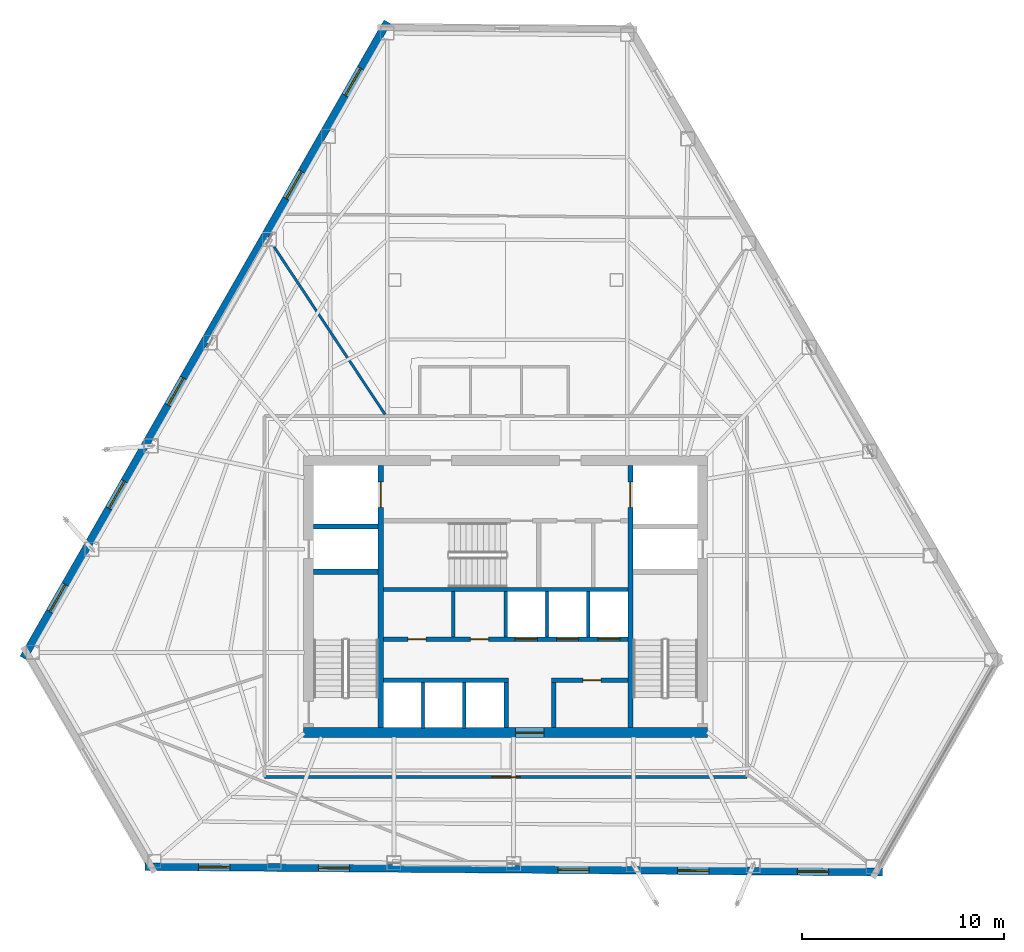
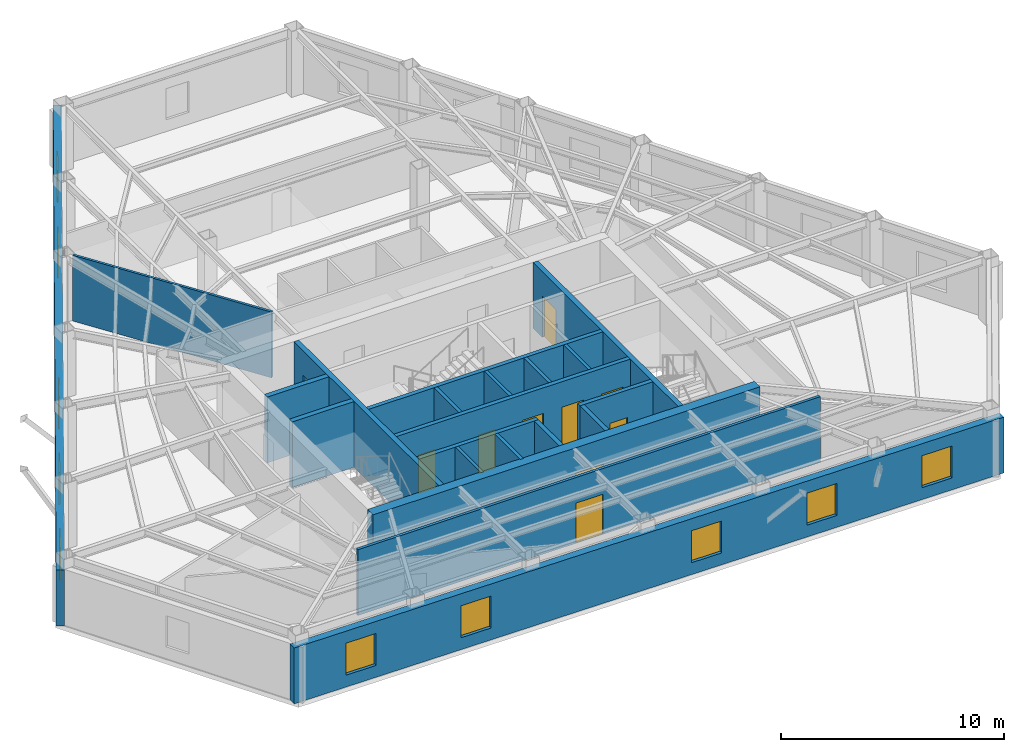
# One storey, part 9 of 13: 21 walls, 10 doors, 10 windows, 20 openings.
"""IFC4 building model written with IfcOpenShell, lengths in metres."""

from ifc_helpers import new_model, si_unit, direction, frame, frame_2d, origin, place, context, subcontext, project, spatial, rectangle, extrude, material, layer, layer_set, type_object, element, fill, save


model = new_model("IFC4")

# Units and contexts
model_context = context("Model", 3, precision=1e-05, world=origin(), true_north=direction((0.0, 1.0)))
body_context = subcontext(model_context, "Body", "Model", "MODEL_VIEW")
ifc_project = project(units=[si_unit("LENGTHUNIT", "METRE"), si_unit("AREAUNIT", "SQUARE_METRE"), si_unit("VOLUMEUNIT", "CUBIC_METRE"), si_unit("PLANEANGLEUNIT", "RADIAN"), si_unit("MASSUNIT", "GRAM", prefix="KILO")], contexts=[model_context])

# Site, building, storey
site_placement = place(None, origin())
site = spatial("IfcSite", under=ifc_project, at=site_placement, CompositionType="ELEMENT")
building_placement = place(site_placement, origin())
building = spatial("IfcBuilding", under=site, at=building_placement, Name="Kavelnor Concourse Tower", CompositionType="ELEMENT")
storey_placement = place(building_placement, frame((0.0, 0.0, 116.300048828125)))
storey = spatial("IfcBuildingStorey", under=building, at=storey_placement, Name="L29", CompositionType="ELEMENT", Elevation=116.300048828125)

# Wall, opening, door
ifc_material_1 = material(Name="Concrete C60/75", Category="concrete")
ifc_layer_1 = layer(ifc_material_1, 0.5, Name="Concrete C60/75")
ifc_layer_set_1 = layer_set([ifc_layer_1], Name="Concrete C60/75")
wall_type_1 = type_object("IfcWallType", Name="WL-CORE-Z2-500", PredefinedType="SOLIDWALL", material=ifc_layer_set_1)
wall_1_placement = place(storey_placement, frame((27.97998046875, 9.35009765625, 0.0), z_axis=(0.0, 0.0, 1.0), x_axis=(1.0, 0.0, 0.0)))
wall_1 = element("IfcWall", 1, at=wall_1_placement, inside=storey, type_object=wall_type_1, Name="L29 Central Core South Shear Wall", PredefinedType="SOLIDWALL", context=body_context, shape_type="SweptSolid", body=[
    extrude(rectangle(XDim=20.0400390625, YDim=0.5, at=frame_2d((10.02001953125, 0.0))), origin(), (0.0, 0.0, 1.0), 3.599853515625),
])
opening_1_placement = place(wall_1_placement, frame((10.52001953125, 0.0, 0.0)))
opening_1 = element("IfcOpeningElement", 2, at=opening_1_placement, cuts=wall_1, Name="Opening SD-140", PredefinedType="OPENING", context=body_context, shape_type="SweptSolid", body=[
    extrude(rectangle(XDim=1.39990234375, YDim=2.199951171875, at=frame_2d((0.699951171875, 1.10009765625))), frame((0.0, 0.260009765625, 0.0), z_axis=(0.0, -1.0, 0.0), x_axis=(1.0, 0.0, 0.0)), (0.0, 0.0, 1.0), 0.52001953125),
])
ifc_material_2 = material(Name="Solid-core hardwood timber", Category="wood")
door_type_1 = type_object("IfcDoorType", Name="DR-SUITE-ENTRY-1400", OperationType="NOTDEFINED", PredefinedType="DOOR", material=ifc_material_2)
door_1_placement = place(opening_1_placement, origin())
door_1 = element("IfcDoor", 3, at=door_1_placement, inside=storey, type_object=door_type_1, Name="L29 Passenger Lift Lobby Entry Door", OperationType="SINGLE_SWING_RIGHT", OverallHeight=2.199951171875, OverallWidth=1.39990234375, PredefinedType="DOOR", context=body_context, shape_type="SweptSolid", body=[
    extrude(rectangle(XDim=1.39990234375, YDim=2.199951171875, at=frame_2d((0.699951171875, 1.10009765625))), frame((0.0, 0.02490234375, 0.0), z_axis=(0.0, -1.0, 0.0), x_axis=(1.0, 0.0, 0.0)), (0.0, 0.0, 1.0), 0.050048828125),
])
fill(opening_1, door_1)

# Wall, openings, windows
ifc_material_3 = material(Name="Red-ochre clay face brick masonry", Category="masonry")
ifc_layer_2 = layer(ifc_material_3, 0.3798828125, Name="Red-ochre clay face brick masonry")
ifc_layer_set_2 = layer_set([ifc_layer_2], Name="Red-ochre clay face brick masonry")
wall_type_2 = type_object("IfcWallType", Name="WL-EXT-RED-BRICK-PIER-380", PredefinedType="STANDARD", material=ifc_layer_set_2)
wall_2_placement = place(storey_placement, frame((14.07958984375, 13.052001953125, 0.0), z_axis=(0.0, 0.0, 1.0), x_axis=(0.496744930326, 0.867896580357, 0.0)))
wall_2 = element("IfcWall", 4, at=wall_2_placement, inside=storey, type_object=wall_type_2, Name="L29 Exterior Brick Facade Wall E1", PredefinedType="STANDARD", context=body_context, shape_type="SweptSolid", body=[
    extrude(rectangle(XDim=36.350830078125, YDim=0.3798828125, at=frame_2d((18.17529296875, 0.0))), origin(), (0.0, 0.0, 1.0), 3.058837890625),
])
opening_2_placement = place(wall_2_placement, frame((32.1455078125, 0.0, 0.64990234375)))
opening_2 = element("IfcOpeningElement", 5, at=opening_2_placement, cuts=wall_2, Name="Opening W-02", PredefinedType="OPENING", context=body_context, shape_type="SweptSolid", body=[
    extrude(rectangle(XDim=1.550048828125, YDim=1.75, at=frame_2d((0.77490234375, 0.875))), frame((0.0, 0.199951171875, 0.0), z_axis=(0.0, -1.0, 0.0), x_axis=(1.0, 0.0, 0.0)), (0.0, 0.0, 1.0), 0.39990234375),
])
opening_3_placement = place(wall_2_placement, frame((26.246826171875, 0.0, 0.64990234375)))
opening_3 = element("IfcOpeningElement", 6, at=opening_3_placement, cuts=wall_2, Name="Opening W-02", PredefinedType="OPENING", context=body_context, shape_type="SweptSolid", body=[
    extrude(rectangle(XDim=1.550048828125, YDim=1.75, at=frame_2d((0.77490234375, 0.875))), frame((0.0, 0.199951171875, 0.0), z_axis=(0.0, -1.0, 0.0), x_axis=(1.0, 0.0, 0.0)), (0.0, 0.0, 1.0), 0.39990234375),
])
opening_4_placement = place(wall_2_placement, frame((14.44921875, 0.0, 0.64990234375)))
opening_4 = element("IfcOpeningElement", 7, at=opening_4_placement, cuts=wall_2, Name="Opening W-02", PredefinedType="OPENING", context=body_context, shape_type="SweptSolid", body=[
    extrude(rectangle(XDim=1.550048828125, YDim=1.75, at=frame_2d((0.77490234375, 0.875))), frame((0.0, 0.199951171875, 0.0), z_axis=(0.0, -1.0, 0.0), x_axis=(1.0, 0.0, 0.0)), (0.0, 0.0, 1.0), 0.39990234375),
])
opening_5_placement = place(wall_2_placement, frame((8.55029296875, 0.0, 0.64990234375)))
opening_5 = element("IfcOpeningElement", 8, at=opening_5_placement, cuts=wall_2, Name="Opening W-02", PredefinedType="OPENING", context=body_context, shape_type="SweptSolid", body=[
    extrude(rectangle(XDim=1.550048828125, YDim=1.75, at=frame_2d((0.77490234375, 0.875))), frame((0.0, 0.199951171875, 0.0), z_axis=(0.0, -1.0, 0.0), x_axis=(1.0, 0.0, 0.0)), (0.0, 0.0, 1.0), 0.39990234375),
])
opening_6_placement = place(wall_2_placement, frame((2.651611328125, 0.0, 0.64990234375)))
opening_6 = element("IfcOpeningElement", 9, at=opening_6_placement, cuts=wall_2, Name="Opening W-02", PredefinedType="OPENING", context=body_context, shape_type="SweptSolid", body=[
    extrude(rectangle(XDim=1.550048828125, YDim=1.75, at=frame_2d((0.77490234375, 0.875))), frame((0.0, 0.199951171875, 0.0), z_axis=(0.0, -1.0, 0.0), x_axis=(1.0, 0.0, 0.0)), (0.0, 0.0, 1.0), 0.39990234375),
])
ifc_material_4 = material(Name="Double low-E argon insulated glazing", Category="glass")
window_type = type_object("IfcWindowType", Name="WIN-PIER-Z2-1650", PartitioningType="SINGLE_PANEL", PredefinedType="WINDOW", material=ifc_material_4)
window_1_placement = place(opening_2_placement, origin())
window_1 = element("IfcWindow", 10, at=window_1_placement, inside=storey, type_object=window_type, Name="L29 Deep-Set Brick Pier Window F0-B0", OverallHeight=1.75, OverallWidth=1.550048828125, PartitioningType="SINGLE_PANEL", PredefinedType="WINDOW", context=body_context, shape_type="SweptSolid", body=[
    extrude(rectangle(XDim=1.550048828125, YDim=1.75, at=frame_2d((0.77490234375, 0.875))), frame((0.0, 0.030029296875, 0.0), z_axis=(0.0, -1.0, 0.0), x_axis=(1.0, 0.0, 0.0)), (0.0, 0.0, 1.0), 0.06005859375),
])
fill(opening_2, window_1)
window_2_placement = place(opening_3_placement, origin())
window_2 = element("IfcWindow", 11, at=window_2_placement, inside=storey, type_object=window_type, Name="L29 Deep-Set Brick Pier Window F0-B1", OverallHeight=1.75, OverallWidth=1.550048828125, PartitioningType="SINGLE_PANEL", PredefinedType="WINDOW", context=body_context, shape_type="SweptSolid", body=[
    extrude(rectangle(XDim=1.550048828125, YDim=1.75, at=frame_2d((0.77490234375, 0.875))), frame((0.0, 0.030029296875, 0.0), z_axis=(0.0, -1.0, 0.0), x_axis=(1.0, 0.0, 0.0)), (0.0, 0.0, 1.0), 0.06005859375),
])
fill(opening_3, window_2)
window_3_placement = place(opening_4_placement, origin())
window_3 = element("IfcWindow", 12, at=window_3_placement, inside=storey, type_object=window_type, Name="L29 Deep-Set Brick Pier Window F0-B3", OverallHeight=1.75, OverallWidth=1.550048828125, PartitioningType="SINGLE_PANEL", PredefinedType="WINDOW", context=body_context, shape_type="SweptSolid", body=[
    extrude(rectangle(XDim=1.550048828125, YDim=1.75, at=frame_2d((0.77490234375, 0.875))), frame((0.0, 0.030029296875, 0.0), z_axis=(0.0, -1.0, 0.0), x_axis=(1.0, 0.0, 0.0)), (0.0, 0.0, 1.0), 0.06005859375),
])
fill(opening_4, window_3)
window_4_placement = place(opening_5_placement, origin())
window_4 = element("IfcWindow", 13, at=window_4_placement, inside=storey, type_object=window_type, Name="L29 Deep-Set Brick Pier Window F0-B4", OverallHeight=1.75, OverallWidth=1.550048828125, PartitioningType="SINGLE_PANEL", PredefinedType="WINDOW", context=body_context, shape_type="SweptSolid", body=[
    extrude(rectangle(XDim=1.550048828125, YDim=1.75, at=frame_2d((0.77490234375, 0.875))), frame((0.0, 0.030029296875, 0.0), z_axis=(0.0, -1.0, 0.0), x_axis=(1.0, 0.0, 0.0)), (0.0, 0.0, 1.0), 0.06005859375),
])
fill(opening_5, window_4)
window_5_placement = place(opening_6_placement, origin())
window_5 = element("IfcWindow", 14, at=window_5_placement, inside=storey, type_object=window_type, Name="L29 Deep-Set Brick Pier Window F0-B5", OverallHeight=1.75, OverallWidth=1.550048828125, PartitioningType="SINGLE_PANEL", PredefinedType="WINDOW", context=body_context, shape_type="SweptSolid", body=[
    extrude(rectangle(XDim=1.550048828125, YDim=1.75, at=frame_2d((0.77490234375, 0.875))), frame((0.0, 0.030029296875, 0.0), z_axis=(0.0, -1.0, 0.0), x_axis=(1.0, 0.0, 0.0)), (0.0, 0.0, 1.0), 0.06005859375),
])
fill(opening_6, window_5)

wall_3_placement = place(storey_placement, frame((56.68798828125, 2.439697265625, 0.0), z_axis=(0.0, 0.0, 1.0), x_axis=(-0.999972168694, 0.007460686059, 0.0)))
wall_3 = element("IfcWall", 15, at=wall_3_placement, inside=storey, type_object=wall_type_2, Name="L29 Exterior Brick Facade Wall E3", PredefinedType="STANDARD", context=body_context, shape_type="SweptSolid", body=[
    extrude(rectangle(XDim=36.5849609375, YDim=0.3798828125, at=frame_2d((18.29248046875, 0.0))), origin(), (0.0, 0.0, 1.0), 3.058837890625),
])
opening_7_placement = place(wall_3_placement, frame((32.367431640625, 0.0, 0.64990234375)))
opening_7 = element("IfcOpeningElement", 16, at=opening_7_placement, cuts=wall_3, Name="Opening W-02", PredefinedType="OPENING", context=body_context, shape_type="SweptSolid", body=[
    extrude(rectangle(XDim=1.550048828125, YDim=1.75, at=frame_2d((0.77490234375, 0.875))), frame((0.0, 0.199951171875, 0.0), z_axis=(0.0, -1.0, 0.0), x_axis=(1.0, 0.0, 0.0)), (0.0, 0.0, 1.0), 0.39990234375),
])
opening_8_placement = place(wall_3_placement, frame((26.428955078125, 0.0, 0.64990234375)))
opening_8 = element("IfcOpeningElement", 17, at=opening_8_placement, cuts=wall_3, Name="Opening W-02", PredefinedType="OPENING", context=body_context, shape_type="SweptSolid", body=[
    extrude(rectangle(XDim=1.550048828125, YDim=1.75, at=frame_2d((0.77490234375, 0.875))), frame((0.0, 0.199951171875, 0.0), z_axis=(0.0, -1.0, 0.0), x_axis=(1.0, 0.0, 0.0)), (0.0, 0.0, 1.0), 0.39990234375),
])
opening_9_placement = place(wall_3_placement, frame((14.552001953125, 0.0, 0.64990234375)))
opening_9 = element("IfcOpeningElement", 18, at=opening_9_placement, cuts=wall_3, Name="Opening W-02", PredefinedType="OPENING", context=body_context, shape_type="SweptSolid", body=[
    extrude(rectangle(XDim=1.550048828125, YDim=1.75, at=frame_2d((0.77490234375, 0.875))), frame((0.0, 0.199951171875, 0.0), z_axis=(0.0, -1.0, 0.0), x_axis=(1.0, 0.0, 0.0)), (0.0, 0.0, 1.0), 0.39990234375),
])
opening_10_placement = place(wall_3_placement, frame((8.61328125, 0.0, 0.64990234375)))
opening_10 = element("IfcOpeningElement", 19, at=opening_10_placement, cuts=wall_3, Name="Opening W-02", PredefinedType="OPENING", context=body_context, shape_type="SweptSolid", body=[
    extrude(rectangle(XDim=1.550048828125, YDim=1.75, at=frame_2d((0.77490234375, 0.875))), frame((0.0, 0.199951171875, 0.0), z_axis=(0.0, -1.0, 0.0), x_axis=(1.0, 0.0, 0.0)), (0.0, 0.0, 1.0), 0.39990234375),
])
opening_11_placement = place(wall_3_placement, frame((2.675048828125, 0.0, 0.64990234375)))
opening_11 = element("IfcOpeningElement", 20, at=opening_11_placement, cuts=wall_3, Name="Opening W-02", PredefinedType="OPENING", context=body_context, shape_type="SweptSolid", body=[
    extrude(rectangle(XDim=1.550048828125, YDim=1.75, at=frame_2d((0.77490234375, 0.875))), frame((0.0, 0.199951171875, 0.0), z_axis=(0.0, -1.0, 0.0), x_axis=(1.0, 0.0, 0.0)), (0.0, 0.0, 1.0), 0.39990234375),
])
window_6_placement = place(opening_7_placement, origin())
window_6 = element("IfcWindow", 21, at=window_6_placement, inside=storey, type_object=window_type, Name="L29 Deep-Set Brick Pier Window F1-B0", OverallHeight=1.75, OverallWidth=1.550048828125, PartitioningType="SINGLE_PANEL", PredefinedType="WINDOW", context=body_context, shape_type="SweptSolid", body=[
    extrude(rectangle(XDim=1.550048828125, YDim=1.75, at=frame_2d((0.77490234375, 0.875))), frame((0.0, 0.030029296875, 0.0), z_axis=(0.0, -1.0, 0.0), x_axis=(1.0, 0.0, 0.0)), (0.0, 0.0, 1.0), 0.06005859375),
])
fill(opening_7, window_6)
window_7_placement = place(opening_8_placement, origin())
window_7 = element("IfcWindow", 22, at=window_7_placement, inside=storey, type_object=window_type, Name="L29 Deep-Set Brick Pier Window F1-B1", OverallHeight=1.75, OverallWidth=1.550048828125, PartitioningType="SINGLE_PANEL", PredefinedType="WINDOW", context=body_context, shape_type="SweptSolid", body=[
    extrude(rectangle(XDim=1.550048828125, YDim=1.75, at=frame_2d((0.77490234375, 0.875))), frame((0.0, 0.030029296875, 0.0), z_axis=(0.0, -1.0, 0.0), x_axis=(1.0, 0.0, 0.0)), (0.0, 0.0, 1.0), 0.06005859375),
])
fill(opening_8, window_7)
window_8_placement = place(opening_9_placement, origin())
window_8 = element("IfcWindow", 23, at=window_8_placement, inside=storey, type_object=window_type, Name="L29 Deep-Set Brick Pier Window F1-B3", OverallHeight=1.75, OverallWidth=1.550048828125, PartitioningType="SINGLE_PANEL", PredefinedType="WINDOW", context=body_context, shape_type="SweptSolid", body=[
    extrude(rectangle(XDim=1.550048828125, YDim=1.75, at=frame_2d((0.77490234375, 0.875))), frame((0.0, 0.030029296875, 0.0), z_axis=(0.0, -1.0, 0.0), x_axis=(1.0, 0.0, 0.0)), (0.0, 0.0, 1.0), 0.06005859375),
])
fill(opening_9, window_8)
window_9_placement = place(opening_10_placement, origin())
window_9 = element("IfcWindow", 24, at=window_9_placement, inside=storey, type_object=window_type, Name="L29 Deep-Set Brick Pier Window F1-B4", OverallHeight=1.75, OverallWidth=1.550048828125, PartitioningType="SINGLE_PANEL", PredefinedType="WINDOW", context=body_context, shape_type="SweptSolid", body=[
    extrude(rectangle(XDim=1.550048828125, YDim=1.75, at=frame_2d((0.77490234375, 0.875))), frame((0.0, 0.030029296875, 0.0), z_axis=(0.0, -1.0, 0.0), x_axis=(1.0, 0.0, 0.0)), (0.0, 0.0, 1.0), 0.06005859375),
])
fill(opening_10, window_9)
window_10_placement = place(opening_11_placement, origin())
window_10 = element("IfcWindow", 25, at=window_10_placement, inside=storey, type_object=window_type, Name="L29 Deep-Set Brick Pier Window F1-B5", OverallHeight=1.75, OverallWidth=1.550048828125, PartitioningType="SINGLE_PANEL", PredefinedType="WINDOW", context=body_context, shape_type="SweptSolid", body=[
    extrude(rectangle(XDim=1.550048828125, YDim=1.75, at=frame_2d((0.77490234375, 0.875))), frame((0.0, 0.030029296875, 0.0), z_axis=(0.0, -1.0, 0.0), x_axis=(1.0, 0.0, 0.0)), (0.0, 0.0, 1.0), 0.06005859375),
])
fill(opening_11, window_10)

# Wall, opening, door
ifc_material_5 = material(Name="Gypsum plasterboard on light-gauge steel studs", Category="steel")
ifc_layer_3 = layer(ifc_material_5, 0.14501953125, Name="Gypsum plasterboard on light-gauge steel studs")
ifc_layer_set_3 = layer_set([ifc_layer_3], Name="Gypsum plasterboard on light-gauge steel studs")
wall_type_3 = type_object("IfcWallType", Name="WL-INT-CORR-145", PredefinedType="PARTITIONING", material=ifc_layer_set_3)
wall_4_placement = place(storey_placement, frame((26.030029296875, 7.14990234375, 0.0), z_axis=(0.0, 0.0, 1.0), x_axis=(1.0, 0.0, 0.0)))
wall_4 = element("IfcWall", 26, at=wall_4_placement, inside=storey, type_object=wall_type_3, Name="L29 Corridor Wall WL-L29-CR-04", PredefinedType="PARTITIONING", context=body_context, shape_type="SweptSolid", body=[
    extrude(rectangle(XDim=23.93994140625, YDim=0.14501953125, at=frame_2d((11.969970703125, 0.0))), origin(), (0.0, 0.0, 1.0), 3.599853515625),
])
opening_12_placement = place(wall_4_placement, frame((11.289794921875, 0.0, 0.0)))
opening_12 = element("IfcOpeningElement", 27, at=opening_12_placement, cuts=wall_4, Name="Opening SD-140", PredefinedType="OPENING", context=body_context, shape_type="SweptSolid", body=[
    extrude(rectangle(XDim=1.39990234375, YDim=2.199951171875, at=frame_2d((0.699951171875, 1.10009765625))), frame((0.0, 0.08251953125, 0.0), z_axis=(0.0, -1.0, 0.0), x_axis=(1.0, 0.0, 0.0)), (0.0, 0.0, 1.0), 0.1650390625),
])
door_2_placement = place(opening_12_placement, origin())
door_2 = element("IfcDoor", 28, at=door_2_placement, inside=storey, type_object=door_type_1, Name="L29 Client Concierge 05 Door", OperationType="SINGLE_SWING_LEFT", OverallHeight=2.199951171875, OverallWidth=1.39990234375, PredefinedType="DOOR", context=body_context, shape_type="SweptSolid", body=[
    extrude(rectangle(XDim=1.39990234375, YDim=2.199951171875, at=frame_2d((0.699951171875, 1.10009765625))), frame((0.0, 0.02490234375, 0.0), z_axis=(0.0, -1.0, 0.0), x_axis=(1.0, 0.0, 0.0)), (0.0, 0.0, 1.0), 0.050048828125),
])
fill(opening_12, door_2)

# Walls
ifc_layer_4 = layer(ifc_material_5, 0.1650390625, Name="Gypsum plasterboard on light-gauge steel studs")
ifc_layer_set_4 = layer_set([ifc_layer_4], Name="Gypsum plasterboard on light-gauge steel studs")
wall_type_4 = type_object("IfcWallType", Name="WL-INT-FIRE-165", PredefinedType="PARTITIONING", material=ifc_layer_set_4)
for number, where, z_axis, x_axis, name in (
    (29, (33.89990234375, 9.550048828125, 0.0), (0.0, 0.0, 1.0), (0.0, 1.0, 0.0), "L29 Lift Shaft Divider LP7"),
    (30, (35.949951171875, 9.550048828125, 0.0), (0.0, 0.0, 1.0), (0.0, 1.0, 0.0), "L29 Lift Shaft Divider LP8"),
):
    element("IfcWall", number, at=place(storey_placement, frame(where, z_axis=z_axis, x_axis=x_axis)), inside=storey, type_object=wall_type_4, Name=name, PredefinedType="PARTITIONING", context=body_context, shape_type="SweptSolid", body=[
        extrude(rectangle(XDim=2.2900390625, YDim=0.1650390625, at=frame_2d((1.14501953125, 0.0))), origin(), (0.0, 0.0, 1.0), 3.599853515625),
    ])
for number, where, z_axis, x_axis, name in (
    (31, (38.0, 14.10009765625, 0.0), (0.0, 0.0, 1.0), (0.0, 1.0, 0.0), "L29 Reclaimed Core Zone Partition"),
    (32, (35.39990234375, 14.10009765625, 0.0), (0.0, 0.0, 1.0), (0.0, 1.0, 0.0), "L29 Reclaimed Core Split Wall"),
    (33, (40.050048828125, 14.10009765625, 0.0), (0.0, 0.0, 1.0), (0.0, 1.0, 0.0), "L29 Lift Shaft Divider LP4"),
    (34, (42.10009765625, 14.10009765625, 0.0), (0.0, 0.0, 1.0), (0.0, 1.0, 0.0), "L29 Lift Shaft Divider LP5"),
):
    element("IfcWall", number, at=place(storey_placement, frame(where, z_axis=z_axis, x_axis=x_axis)), inside=storey, type_object=wall_type_4, Name=name, PredefinedType="PARTITIONING", context=body_context, shape_type="SweptSolid", body=[
        extrude(rectangle(XDim=2.239990234375, YDim=0.1650390625, at=frame_2d((1.1201171875, 0.0))), origin(), (0.0, 0.0, 1.0), 3.599853515625),
    ])
ifc_layer_5 = layer(ifc_material_5, 0.125, Name="Gypsum plasterboard on light-gauge steel studs")
ifc_layer_set_5 = layer_set([ifc_layer_5], Name="Gypsum plasterboard on light-gauge steel studs")
wall_type_5 = type_object("IfcWallType", Name="WL-INT-SUITE-125", PredefinedType="PARTITIONING", material=ifc_layer_set_5)
wall_5_placement = place(storey_placement, frame((32.019775390625, 25.130615234375, 0.0), z_axis=(0.0, 0.0, 1.0), x_axis=(-0.552143125639, 0.833749344113, 0.0)))
element("IfcWall", 35, at=wall_5_placement, inside=storey, type_object=wall_type_5, Name="L29 Radial Suite Partition 02", PredefinedType="PARTITIONING", context=body_context, shape_type="SweptSolid", body=[
    extrude(rectangle(XDim=9.96923828125, YDim=0.125, at=frame_2d((4.984619140625, 0.0))), origin(), (0.0, 0.0, 1.0), 3.599853515625),
])
ifc_material_6 = material(Name="Concrete C50/60", Category="concrete")
ifc_layer_6 = layer(ifc_material_6, 0.219970703125, Name="Concrete C50/60")
ifc_layer_set_6 = layer_set([ifc_layer_6], Name="Concrete C50/60")
wall_type_6 = type_object("IfcWallType", Name="WL-SHAFT-220", PredefinedType="SOLIDWALL", material=ifc_layer_set_6)
wall_6_placement = place(storey_placement, frame((31.93994140625, 16.449951171875, 0.0), z_axis=(0.0, 0.0, 1.0), x_axis=(1.0, 0.0, 0.0)))
element("IfcWall", 36, at=wall_6_placement, inside=storey, type_object=wall_type_6, Name="L29 Stair ST3 South Core Wall", PredefinedType="SOLIDWALL", context=body_context, shape_type="SweptSolid", body=[
    extrude(rectangle(XDim=12.1201171875, YDim=0.219970703125, at=frame_2d((6.06005859375, 0.0))), origin(), (0.0, 0.0, 1.0), 3.599853515625),
])

# Wall, openings, doors
wall_7_placement = place(storey_placement, frame((31.93994140625, 13.989990234375, 0.0), z_axis=(0.0, 0.0, 1.0), x_axis=(1.0, 0.0, 0.0)))
wall_7 = element("IfcWall", 37, at=wall_7_placement, inside=storey, type_object=wall_type_6, Name="L29 North Lift Row Shaft Wall", PredefinedType="SOLIDWALL", context=body_context, shape_type="SweptSolid", body=[
    extrude(rectangle(XDim=12.1201171875, YDim=0.219970703125, at=frame_2d((6.06005859375, 0.0))), origin(), (0.0, 0.0, 1.0), 3.599853515625),
])
opening_13_placement = place(wall_7_placement, frame((1.2099609375, 0.0, 0.0)))
opening_13 = element("IfcOpeningElement", 38, at=opening_13_placement, cuts=wall_7, Name="Opening FD-090", PredefinedType="OPENING", context=body_context, shape_type="SweptSolid", body=[
    extrude(rectangle(XDim=0.89990234375, YDim=2.10009765625, at=frame_2d((0.449951171875, 1.050048828125))), frame((0.0, 0.1201171875, 0.0), z_axis=(0.0, -1.0, 0.0), x_axis=(1.0, 0.0, 0.0)), (0.0, 0.0, 1.0), 0.239990234375),
])
opening_14_placement = place(wall_7_placement, frame((4.31005859375, 0.0, 0.0)))
opening_14 = element("IfcOpeningElement", 39, at=opening_14_placement, cuts=wall_7, Name="Opening FD-090", PredefinedType="OPENING", context=body_context, shape_type="SweptSolid", body=[
    extrude(rectangle(XDim=0.89990234375, YDim=2.10009765625, at=frame_2d((0.449951171875, 1.050048828125))), frame((0.0, 0.1201171875, 0.0), z_axis=(0.0, -1.0, 0.0), x_axis=(1.0, 0.0, 0.0)), (0.0, 0.0, 1.0), 0.239990234375),
])
opening_15_placement = place(wall_7_placement, frame((6.534912109375, 0.0, 0.0)))
opening_15 = element("IfcOpeningElement", 40, at=opening_15_placement, cuts=wall_7, Name="Opening LD-110", PredefinedType="OPENING", context=body_context, shape_type="SweptSolid", body=[
    extrude(rectangle(XDim=1.10009765625, YDim=2.199951171875, at=frame_2d((0.550048828125, 1.10009765625))), frame((0.0, 0.1201171875, 0.0), z_axis=(0.0, -1.0, 0.0), x_axis=(1.0, 0.0, 0.0)), (0.0, 0.0, 1.0), 0.239990234375),
])
opening_16_placement = place(wall_7_placement, frame((8.5849609375, 0.0, 0.0)))
opening_16 = element("IfcOpeningElement", 41, at=opening_16_placement, cuts=wall_7, Name="Opening LD-110", PredefinedType="OPENING", context=body_context, shape_type="SweptSolid", body=[
    extrude(rectangle(XDim=1.10009765625, YDim=2.199951171875, at=frame_2d((0.550048828125, 1.10009765625))), frame((0.0, 0.1201171875, 0.0), z_axis=(0.0, -1.0, 0.0), x_axis=(1.0, 0.0, 0.0)), (0.0, 0.0, 1.0), 0.239990234375),
])
opening_17_placement = place(wall_7_placement, frame((10.635009765625, 0.0, 0.0)))
opening_17 = element("IfcOpeningElement", 42, at=opening_17_placement, cuts=wall_7, Name="Opening LD-110", PredefinedType="OPENING", context=body_context, shape_type="SweptSolid", body=[
    extrude(rectangle(XDim=1.10009765625, YDim=2.199951171875, at=frame_2d((0.550048828125, 1.10009765625))), frame((0.0, 0.1201171875, 0.0), z_axis=(0.0, -1.0, 0.0), x_axis=(1.0, 0.0, 0.0)), (0.0, 0.0, 1.0), 0.239990234375),
])
ifc_material_7 = material(Name="Steel Grade 350", Category="steel")
door_type_2 = type_object("IfcDoorType", Name="DR-LIFT-SLIDING-1100", OperationType="NOTDEFINED", PredefinedType="DOOR", material=ifc_material_7)
door_3_placement = place(opening_15_placement, origin())
door_3 = element("IfcDoor", 43, at=door_3_placement, inside=storey, type_object=door_type_2, Name="L29 Lift LP4 Landing Door", OperationType="DOUBLE_DOOR_SLIDING", OverallHeight=2.199951171875, OverallWidth=1.10009765625, PredefinedType="DOOR", context=body_context, shape_type="SweptSolid", body=[
    extrude(rectangle(XDim=1.10009765625, YDim=2.199951171875, at=frame_2d((0.550048828125, 1.10009765625))), frame((0.0, 0.02490234375, 0.0), z_axis=(0.0, -1.0, 0.0), x_axis=(1.0, 0.0, 0.0)), (0.0, 0.0, 1.0), 0.050048828125),
])
fill(opening_15, door_3)
door_4_placement = place(opening_16_placement, origin())
door_4 = element("IfcDoor", 44, at=door_4_placement, inside=storey, type_object=door_type_2, Name="L29 Lift LP5 Landing Door", OperationType="DOUBLE_DOOR_SLIDING", OverallHeight=2.199951171875, OverallWidth=1.10009765625, PredefinedType="DOOR", context=body_context, shape_type="SweptSolid", body=[
    extrude(rectangle(XDim=1.10009765625, YDim=2.199951171875, at=frame_2d((0.550048828125, 1.10009765625))), frame((0.0, 0.02490234375, 0.0), z_axis=(0.0, -1.0, 0.0), x_axis=(1.0, 0.0, 0.0)), (0.0, 0.0, 1.0), 0.050048828125),
])
fill(opening_16, door_4)
door_5_placement = place(opening_17_placement, origin())
door_5 = element("IfcDoor", 45, at=door_5_placement, inside=storey, type_object=door_type_2, Name="L29 Lift LP6 Landing Door", OperationType="DOUBLE_DOOR_SLIDING", OverallHeight=2.199951171875, OverallWidth=1.10009765625, PredefinedType="DOOR", context=body_context, shape_type="SweptSolid", body=[
    extrude(rectangle(XDim=1.10009765625, YDim=2.199951171875, at=frame_2d((0.550048828125, 1.10009765625))), frame((0.0, 0.02490234375, 0.0), z_axis=(0.0, -1.0, 0.0), x_axis=(1.0, 0.0, 0.0)), (0.0, 0.0, 1.0), 0.050048828125),
])
fill(opening_17, door_5)
door_type_3 = type_object("IfcDoorType", Name="DR-RISER-FIRE-900", OperationType="NOTDEFINED", PredefinedType="DOOR", material=ifc_material_7)
door_6_placement = place(opening_13_placement, origin())
door_6 = element("IfcDoor", 46, at=door_6_placement, inside=storey, type_object=door_type_3, Name="L29 Core Tea Pantry Door", OperationType="SINGLE_SWING_RIGHT", OverallHeight=2.10009765625, OverallWidth=0.89990234375, PredefinedType="DOOR", context=body_context, shape_type="SweptSolid", body=[
    extrude(rectangle(XDim=0.89990234375, YDim=2.10009765625, at=frame_2d((0.449951171875, 1.050048828125))), frame((0.0, 0.02490234375, 0.0), z_axis=(0.0, -1.0, 0.0), x_axis=(1.0, 0.0, 0.0)), (0.0, 0.0, 1.0), 0.050048828125),
])
fill(opening_13, door_6)
door_7_placement = place(opening_14_placement, origin())
door_7 = element("IfcDoor", 47, at=door_7_placement, inside=storey, type_object=door_type_3, Name="L29 Archive Store Door", OperationType="SINGLE_SWING_LEFT", OverallHeight=2.10009765625, OverallWidth=0.89990234375, PredefinedType="DOOR", context=body_context, shape_type="SweptSolid", body=[
    extrude(rectangle(XDim=0.89990234375, YDim=2.10009765625, at=frame_2d((0.449951171875, 1.050048828125))), frame((0.0, 0.02490234375, 0.0), z_axis=(0.0, -1.0, 0.0), x_axis=(1.0, 0.0, 0.0)), (0.0, 0.0, 1.0), 0.050048828125),
])
fill(opening_14, door_7)

# Wall
wall_8_placement = place(storey_placement, frame((31.93994140625, 11.949951171875, 0.0), z_axis=(0.0, 0.0, 1.0), x_axis=(1.0, 0.0, 0.0)))
element("IfcWall", 48, at=wall_8_placement, inside=storey, type_object=wall_type_6, Name="L29 High-Rise Lift Bank North Wall", PredefinedType="SOLIDWALL", context=body_context, shape_type="SweptSolid", body=[
    extrude(rectangle(XDim=6.18994140625, YDim=0.219970703125, at=frame_2d((3.094970703125, 0.0))), origin(), (0.0, 0.0, 1.0), 3.599853515625),
])

# Wall, opening, door
wall_9_placement = place(storey_placement, frame((40.280029296875, 11.949951171875, 0.0), z_axis=(0.0, 0.0, 1.0), x_axis=(1.0, 0.0, 0.0)))
wall_9 = element("IfcWall", 49, at=wall_9_placement, inside=storey, type_object=wall_type_6, Name="L29 Core South Support North Wall", PredefinedType="SOLIDWALL", context=body_context, shape_type="SweptSolid", body=[
    extrude(rectangle(XDim=3.780029296875, YDim=0.219970703125, at=frame_2d((1.89013671875, 0.0))), origin(), (0.0, 0.0, 1.0), 3.599853515625),
])
opening_18_placement = place(wall_9_placement, frame((1.550048828125, 0.0, 0.0)))
opening_18 = element("IfcOpeningElement", 50, at=opening_18_placement, cuts=wall_9, Name="Opening FD-090", PredefinedType="OPENING", context=body_context, shape_type="SweptSolid", body=[
    extrude(rectangle(XDim=0.89990234375, YDim=2.10009765625, at=frame_2d((0.449951171875, 1.050048828125))), frame((0.0, 0.1201171875, 0.0), z_axis=(0.0, -1.0, 0.0), x_axis=(1.0, 0.0, 0.0)), (0.0, 0.0, 1.0), 0.239990234375),
])
door_8_placement = place(opening_18_placement, origin())
door_8 = element("IfcDoor", 51, at=door_8_placement, inside=storey, type_object=door_type_3, Name="L29 Core Utility Store Door", OperationType="SINGLE_SWING_LEFT", OverallHeight=2.10009765625, OverallWidth=0.89990234375, PredefinedType="DOOR", context=body_context, shape_type="SweptSolid", body=[
    extrude(rectangle(XDim=0.89990234375, YDim=2.10009765625, at=frame_2d((0.449951171875, 1.050048828125))), frame((0.0, 0.02490234375, 0.0), z_axis=(0.0, -1.0, 0.0), x_axis=(1.0, 0.0, 0.0)), (0.0, 0.0, 1.0), 0.050048828125),
])
fill(opening_18, door_8)

# Walls
for number, where, z_axis, x_axis, name in (
    (52, (38.02001953125, 9.60009765625, 0.0), (0.0, 0.0, 1.0), (0.0, 1.0, 0.0), "L29 Lift Lobby Throat West Wall"),
    (53, (40.389892578125, 9.60009765625, 0.0), (0.0, 0.0, 1.0), (0.0, 1.0, 0.0), "L29 Lift Lobby Throat East Wall"),
):
    element("IfcWall", number, at=place(storey_placement, frame(where, z_axis=z_axis, x_axis=x_axis)), inside=storey, type_object=wall_type_6, Name=name, PredefinedType="SOLIDWALL", context=body_context, shape_type="SweptSolid", body=[
        extrude(rectangle(XDim=2.239990234375, YDim=0.219970703125, at=frame_2d((1.1201171875, 0.0))), origin(), (0.0, 0.0, 1.0), 3.599853515625),
    ])

# Wall, opening, door
ifc_layer_7 = layer(ifc_material_6, 0.260009765625, Name="Concrete C50/60")
ifc_layer_set_7 = layer_set([ifc_layer_7], Name="Concrete C50/60")
wall_type_7 = type_object("IfcWallType", Name="WL-SHAFT-260", PredefinedType="SHEAR", material=ifc_layer_set_7)
wall_10_placement = place(storey_placement, frame((31.81005859375, 9.60009765625, 0.0), z_axis=(0.0, 0.0, 1.0), x_axis=(0.0, 1.0, 0.0)))
wall_10 = element("IfcWall", 54, at=wall_10_placement, inside=storey, type_object=wall_type_7, Name="L29 Core West Wing Shear Wall", PredefinedType="SHEAR", context=body_context, shape_type="SweptSolid", body=[
    extrude(rectangle(XDim=13.0, YDim=0.260009765625, at=frame_2d((6.5, 0.0))), origin(), (0.0, 0.0, 1.0), 3.599853515625),
])
opening_19_placement = place(wall_10_placement, frame((10.925048828125, 0.0, 0.0)))
opening_19 = element("IfcOpeningElement", 55, at=opening_19_placement, cuts=wall_10, Name="Opening LD-125", PredefinedType="OPENING", context=body_context, shape_type="SweptSolid", body=[
    extrude(rectangle(XDim=1.25, YDim=2.25, at=frame_2d((0.625, 1.125))), frame((0.0, 0.14013671875, 0.0), z_axis=(0.0, -1.0, 0.0), x_axis=(1.0, 0.0, 0.0)), (0.0, 0.0, 1.0), 0.280029296875),
])
door_type_4 = type_object("IfcDoorType", Name="DR-LIFT-SLIDING-1250", OperationType="NOTDEFINED", PredefinedType="DOOR", material=ifc_material_7)
door_9_placement = place(opening_19_placement, origin())
door_9 = element("IfcDoor", 56, at=door_9_placement, inside=storey, type_object=door_type_4, Name="L29 Emergency Lift FL1 Landing Door", OperationType="DOUBLE_DOOR_SLIDING", OverallHeight=2.25, OverallWidth=1.25, PredefinedType="DOOR", context=body_context, shape_type="SweptSolid", body=[
    extrude(rectangle(XDim=1.25, YDim=2.25, at=frame_2d((0.625, 1.125))), frame((0.0, 0.02490234375, 0.0), z_axis=(0.0, -1.0, 0.0), x_axis=(1.0, 0.0, 0.0)), (0.0, 0.0, 1.0), 0.050048828125),
])
fill(opening_19, door_9)

wall_11_placement = place(storey_placement, frame((44.18994140625, 9.60009765625, 0.0), z_axis=(0.0, 0.0, 1.0), x_axis=(0.0, 1.0, 0.0)))
wall_11 = element("IfcWall", 57, at=wall_11_placement, inside=storey, type_object=wall_type_7, Name="L29 Core East Wing Shear Wall", PredefinedType="SHEAR", context=body_context, shape_type="SweptSolid", body=[
    extrude(rectangle(XDim=13.0, YDim=0.260009765625, at=frame_2d((6.5, 0.0))), origin(), (0.0, 0.0, 1.0), 3.599853515625),
])
opening_20_placement = place(wall_11_placement, frame((10.925048828125, 0.0, 0.0)))
opening_20 = element("IfcOpeningElement", 58, at=opening_20_placement, cuts=wall_11, Name="Opening LD-125", PredefinedType="OPENING", context=body_context, shape_type="SweptSolid", body=[
    extrude(rectangle(XDim=1.25, YDim=2.25, at=frame_2d((0.625, 1.125))), frame((0.0, 0.14013671875, 0.0), z_axis=(0.0, -1.0, 0.0), x_axis=(1.0, 0.0, 0.0)), (0.0, 0.0, 1.0), 0.280029296875),
])
door_10_placement = place(opening_20_placement, origin())
door_10 = element("IfcDoor", 59, at=door_10_placement, inside=storey, type_object=door_type_4, Name="L29 Emergency Lift FL2 Landing Door", OperationType="DOUBLE_DOOR_SLIDING", OverallHeight=2.25, OverallWidth=1.25, PredefinedType="DOOR", context=body_context, shape_type="SweptSolid", body=[
    extrude(rectangle(XDim=1.25, YDim=2.25, at=frame_2d((0.625, 1.125))), frame((0.0, 0.02490234375, 0.0), z_axis=(0.0, -1.0, 0.0), x_axis=(1.0, 0.0, 0.0)), (0.0, 0.0, 1.0), 0.050048828125),
])
fill(opening_20, door_10)

# Walls
for number, where, z_axis, x_axis, name in (
    (60, (28.47998046875, 17.330078125, 0.0), (0.0, 0.0, 1.0), (1.0, 0.0, 0.0), "L29 Stair ST1 North Shaft Wall"),
    (61, (28.47998046875, 19.570068359375, 0.0), (0.0, 0.0, 1.0), (1.0, 0.0, 0.0), "L29 Emergency Lift FL1 South Shaft Wall"),
):
    element("IfcWall", number, at=place(storey_placement, frame(where, z_axis=z_axis, x_axis=x_axis)), inside=storey, type_object=wall_type_7, Name=name, PredefinedType="SHEAR", context=body_context, shape_type="SweptSolid", body=[
        extrude(rectangle(XDim=3.199951171875, YDim=0.260009765625, at=frame_2d((1.60009765625, 0.0))), origin(), (0.0, 0.0, 1.0), 3.599853515625),
    ])

save(model, "model.ifc")
